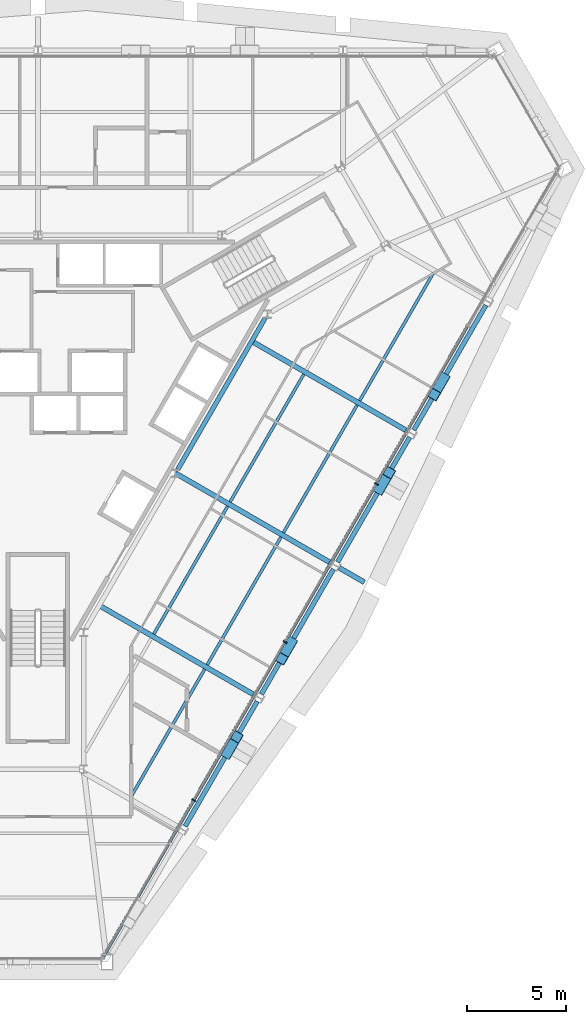
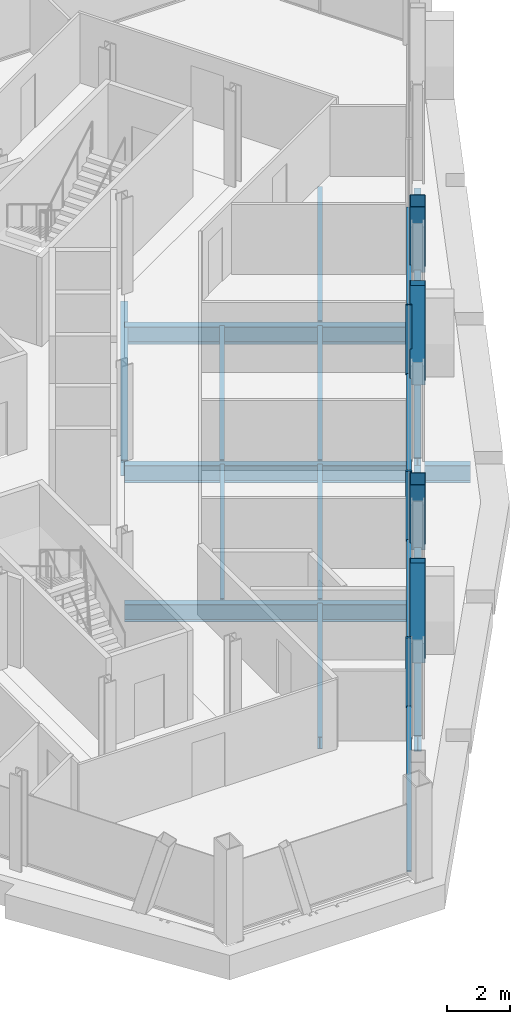
# One storey, part 4 of 13: 15 beams, 11 members, 1 element without a shape of its own.
"""IFC4 building model written with IfcOpenShell, lengths in metres."""

from ifc_helpers import new_model, si_unit, direction, frame, origin, origin_2d, place, context, subcontext, project, spatial, rectangle, hollow_rectangle, i_section, extrude, material, material_profile, profile_set, type_object, element, aggregate, save


model = new_model("IFC4")

# Units and contexts
model_context = context("Model", 3, precision=1e-05, world=origin(), true_north=direction((0.0, 1.0)))
body_context = subcontext(model_context, "Body", "Model", "MODEL_VIEW")
ifc_project = project(units=[si_unit("LENGTHUNIT", "METRE"), si_unit("AREAUNIT", "SQUARE_METRE"), si_unit("VOLUMEUNIT", "CUBIC_METRE"), si_unit("PLANEANGLEUNIT", "RADIAN"), si_unit("MASSUNIT", "GRAM", prefix="KILO")], contexts=[model_context])

# Site, building, storey
site_placement = place(None, origin())
site = spatial("IfcSite", under=ifc_project, at=site_placement, CompositionType="ELEMENT")
building_placement = place(site_placement, origin())
building = spatial("IfcBuilding", under=site, at=building_placement, Name="Verrane Prism Tower", CompositionType="ELEMENT")
storey_placement = place(building_placement, frame((0.0, 0.0, 163.60009765625)))
storey = spatial("IfcBuildingStorey", under=building, at=storey_placement, Name="L40", CompositionType="ELEMENT", Elevation=163.60009765625)

# Beam
ifc_material_1 = material(Name="Steel A992", Category="steel")
ifc_material_profile_1 = material_profile(ifc_material_1, i_section(OverallWidth=0.23046875, OverallDepth=0.6171875, WebThickness=0.01318359375, FlangeThickness=0.022216796875, FilletRadius=0.012939453125, at=origin_2d()), Name="W24x94")
ifc_profile_set_1 = profile_set([ifc_material_profile_1], Name="Steel A992")
beam_type_1 = type_object("IfcBeamType", Name="Core ring girder W24x94", PredefinedType="BEAM", material=ifc_profile_set_1)
beam_1_placement = place(storey_placement, frame((7.045166015625, -3.800537109375, -0.55859375), z_axis=(0.499967414725, 0.866044216084, 0.0), x_axis=(-0.866044216084, 0.499967414725, 0.0)))
element("IfcBeam", 1, at=beam_1_placement, inside=storey, type_object=beam_type_1, Name="Core ring girder L40", PredefinedType="BEAM", context=body_context, shape_type="SweptSolid", body=[
    extrude(i_section(OverallWidth=0.23046875, OverallDepth=0.6171875, WebThickness=0.01318359375, FlangeThickness=0.022216796875, FilletRadius=0.012939453125, at=origin_2d()), origin(), (0.0, 0.0, 1.0), 8.7998046875),
])

# Members
ifc_material_2 = material(Name="Steel A500 Grade C", Category="steel")
ifc_material_profile_2 = material_profile(ifc_material_2, hollow_rectangle(XDim=0.508056640625, YDim=0.508056640625, WallThickness=0.01904296875, InnerFilletRadius=0.009521484375, OuterFilletRadius=0.028564453125, at=origin_2d()), Name="HSS20x20x3/4")
ifc_profile_set_2 = profile_set([ifc_material_profile_2], Name="Steel A500 Grade C")
member_type_1 = type_object("IfcMemberType", Name="Facade brace HSS20x20x3/4", PredefinedType="BRACE", material=ifc_profile_set_2)
member_1_placement = place(storey_placement, frame((9.54150390625, -18.09521484375, -0.216796875), z_axis=(0.142143736486, 0.246133487031, 0.958756207145), x_axis=(-0.865966742331, 0.500101590855, 0.0)))
element("IfcMember", 2, at=member_1_placement, inside=storey, type_object=member_type_1, Name="Facade brace SE1 L40", PredefinedType="BRACE", context=body_context, shape_type="SweptSolid", body=[
    extrude(hollow_rectangle(XDim=0.508056640625, YDim=0.508056640625, WallThickness=0.01904296875, InnerFilletRadius=0.009521484375, OuterFilletRadius=0.028564453125, at=origin_2d()), origin(), (0.0, 0.0, 1.0), 3.333740234375),
])
member_2_placement = place(storey_placement, frame((12.75830078125, -12.5205078125, -0.216796875), z_axis=(-0.142130918057, -0.246477418948, 0.95866974714), x_axis=(0.866288399192, -0.499544201673, 0.0)))
element("IfcMember", 3, at=member_2_placement, inside=storey, type_object=member_type_1, Name="Facade brace SE2 L40", PredefinedType="BRACE", context=body_context, shape_type="SweptSolid", body=[
    extrude(hollow_rectangle(XDim=0.508056640625, YDim=0.508056640625, WallThickness=0.01904296875, InnerFilletRadius=0.009521484375, OuterFilletRadius=0.028564453125, at=origin_2d()), origin(), (0.0, 0.0, 1.0), 3.333984375),
])
for number, where, z_axis, x_axis, name in (
    (4, (17.2216796875, -4.785400390625, -0.216796875), (0.142141174047, 0.246202280858, 0.958738923556), (-0.866031159827, 0.499990030109, 0.0), "Facade brace SE3 L40"),
    (5, (20.4384765625, 0.785400390625, -0.216796875), (-0.142141174047, -0.246202280858, 0.958738923556), (0.866031159827, -0.499990030109, 0.0), "Facade brace SE4 L40"),
):
    element("IfcMember", number, at=place(storey_placement, frame(where, z_axis=z_axis, x_axis=x_axis)), inside=storey, type_object=member_type_1, Name=name, PredefinedType="BRACE", context=body_context, shape_type="SweptSolid", body=[
        extrude(hollow_rectangle(XDim=0.508056640625, YDim=0.508056640625, WallThickness=0.01904296875, InnerFilletRadius=0.009521484375, OuterFilletRadius=0.028564453125, at=origin_2d()), origin(), (0.0, 0.0, 1.0), 3.333740234375),
    ])

# Beams
ifc_material_3 = material(Name="Steel A992", Category="steel")
ifc_material_profile_3 = material_profile(ifc_material_3, i_section(OverallWidth=0.15234375, OverallDepth=0.449462890625, WebThickness=0.007568359375, FlangeThickness=0.0107421875, FilletRadius=0.01025390625, at=origin_2d()), Name="W18x35")
ifc_profile_set_3 = profile_set([ifc_material_profile_3], Name="Steel A992")
beam_type_2 = type_object("IfcBeamType", Name="Floor beam W18x35", PredefinedType="BEAM", material=ifc_profile_set_3)
beam_2_placement = place(storey_placement, frame((4.686279296875, -20.299072265625, -0.385009765625), z_axis=(0.500022277658, 0.866012541391, 0.0), x_axis=(-0.866012541391, 0.500022277658, 0.0)))
element("IfcBeam", 6, at=beam_2_placement, inside=storey, type_object=beam_type_2, Name="Floor beam L40", PredefinedType="BEAM", context=body_context, shape_type="SweptSolid", body=[
    extrude(i_section(OverallWidth=0.15234375, OverallDepth=0.449462890625, WebThickness=0.007568359375, FlangeThickness=0.0107421875, FilletRadius=0.01025390625, at=origin_2d()), origin(), (0.0, 0.0, 1.0), 7.424560546875),
])
beam_3_placement = place(storey_placement, frame((8.525390625, -13.6494140625, -0.385009765625), z_axis=(0.500006734102, 0.866021515814, 0.0), x_axis=(-0.866021515814, 0.500006734102, 0.0)))
element("IfcBeam", 7, at=beam_3_placement, inside=storey, type_object=beam_type_2, Name="Floor beam L40", PredefinedType="BEAM", context=body_context, shape_type="SweptSolid", body=[
    extrude(i_section(OverallWidth=0.15234375, OverallDepth=0.449462890625, WebThickness=0.007568359375, FlangeThickness=0.0107421875, FilletRadius=0.01025390625, at=origin_2d()), origin(), (0.0, 0.0, 1.0), 7.43408203125),
])
beam_4_placement = place(storey_placement, frame((5.837646484375, -12.098388671875, -0.385009765625), z_axis=(0.499996323716, 0.866027526278, 0.0), x_axis=(-0.866027526278, 0.499996323716, 0.0)))
element("IfcBeam", 8, at=beam_4_placement, inside=storey, type_object=beam_type_2, Name="Floor beam L40", PredefinedType="BEAM", context=body_context, shape_type="SweptSolid", body=[
    extrude(i_section(OverallWidth=0.15234375, OverallDepth=0.449462890625, WebThickness=0.007568359375, FlangeThickness=0.0107421875, FilletRadius=0.01025390625, at=origin_2d()), origin(), (0.0, 0.0, 1.0), 7.43359375),
])
for number, where, z_axis, x_axis, name in (
    (9, (12.3671875, -6.990234375, -0.385009765625), (0.499979562871, 0.866037202845, 0.0), (-0.866037202845, 0.499979562871, 0.0), "Floor beam L40"),
    (10, (9.680419921875, -5.440185546875, -0.385009765625), (0.499979562871, 0.866037202845, 0.0), (-0.866037202845, 0.499979562871, 0.0), "Floor beam L40"),
):
    element("IfcBeam", number, at=place(storey_placement, frame(where, z_axis=z_axis, x_axis=x_axis)), inside=storey, type_object=beam_type_2, Name=name, PredefinedType="BEAM", context=body_context, shape_type="SweptSolid", body=[
        extrude(i_section(OverallWidth=0.15234375, OverallDepth=0.449462890625, WebThickness=0.007568359375, FlangeThickness=0.0107421875, FilletRadius=0.01025390625, at=origin_2d()), origin(), (0.0, 0.0, 1.0), 7.425048828125),
    ])
beam_5_placement = place(storey_placement, frame((16.206787109375, -0.340087890625, -0.385009765625), z_axis=(0.50000040832, 0.866025168041, 0.0), x_axis=(-0.866025168041, 0.50000040832, 0.0)))
element("IfcBeam", 11, at=beam_5_placement, inside=storey, type_object=beam_type_2, Name="Floor beam L40", PredefinedType="BEAM", context=body_context, shape_type="SweptSolid", body=[
    extrude(i_section(OverallWidth=0.15234375, OverallDepth=0.449462890625, WebThickness=0.007568359375, FlangeThickness=0.0107421875, FilletRadius=0.01025390625, at=origin_2d()), origin(), (0.0, 0.0, 1.0), 7.42578125),
])

# Curtain wall, members
ifc_material_4 = material(Name="Aluminium framed insulated glazing", Category="aluminium")
curtain_wall_type = type_object("IfcCurtainWallType", Name="Curtain wall CW-A 8400 module", PredefinedType="NOTDEFINED", material=ifc_material_4)
curtain_wall_placement = place(storey_placement, origin())
curtain_wall = element("IfcCurtainWall", 12, at=curtain_wall_placement, inside=storey, type_object=curtain_wall_type, Name="Glazed curtain wall south-east face L40", PredefinedType="NOTDEFINED")
ifc_material_5 = material(Name="Aluminium alloy 6063-T6", Category="aluminium")
ifc_material_profile_4 = material_profile(ifc_material_5, rectangle(XDim=0.199951171875, YDim=0.070068359375, at=origin_2d()), Name="Mullion 70x200 aluminium")
ifc_profile_set_4 = profile_set([ifc_material_profile_4], Name="Aluminium alloy 6063-T6")
member_type_2 = type_object("IfcMemberType", Name="Mullion 70x200 aluminium", PredefinedType="MULLION", material=ifc_profile_set_4)
member_3_placement = place(storey_placement, frame((7.84814453125, -20.46875, 0.0), z_axis=(0.0, 0.0, 1.0), x_axis=(-0.86602596468, 0.499999028499, 0.0)))
member_3 = element("IfcMember", 13, at=member_3_placement, type_object=member_type_2, Name="CW39.6 mullion 2", PredefinedType="MULLION", context=body_context, shape_type="SweptSolid", body=[
    extrude(rectangle(XDim=0.199951171875, YDim=0.070068359375, at=origin_2d()), origin(), (0.0, 0.0, 1.0), 2.712890625),
])
member_4_placement = place(storey_placement, frame((12.448974609375, -12.5, 0.0), z_axis=(0.0, 0.0, 1.0), x_axis=(-0.86602596468, 0.499999028499, 0.0)))
member_4 = element("IfcMember", 14, at=member_4_placement, type_object=member_type_2, Name="CW39.6 mullion 3", PredefinedType="MULLION", context=body_context, shape_type="SweptSolid", body=[
    extrude(rectangle(XDim=0.199951171875, YDim=0.070068359375, at=origin_2d()), origin(), (0.0, 0.0, 1.0), 2.712890625),
])
member_5_placement = place(storey_placement, frame((17.0498046875, -4.531005859375, 0.0), z_axis=(0.0, 0.0, 1.0), x_axis=(-0.86602596468, 0.499999028499, 0.0)))
member_5 = element("IfcMember", 15, at=member_5_placement, type_object=member_type_2, Name="CW39.6 mullion 4", PredefinedType="MULLION", context=body_context, shape_type="SweptSolid", body=[
    extrude(rectangle(XDim=0.199951171875, YDim=0.070068359375, at=origin_2d()), origin(), (0.0, 0.0, 1.0), 2.712890625),
])

# Beams
ifc_material_6 = material(Name="Steel A992", Category="steel")
ifc_material_profile_5 = material_profile(ifc_material_6, i_section(OverallWidth=0.25390625, OverallDepth=0.683349609375, WebThickness=0.012451171875, FlangeThickness=0.01904296875, FilletRadius=0.01513671875, at=origin_2d()), Name="W27x94")
ifc_profile_set_5 = profile_set([ifc_material_profile_5], Name="Steel A992")
beam_type_3 = type_object("IfcBeamType", Name="Radial girder W27x94", PredefinedType="BEAM", material=ifc_profile_set_5)
beam_6_placement = place(storey_placement, frame((10.9619140625, -15.201416015625, -0.561767578125), z_axis=(-0.866021925876, 0.500006023866, 0.0), x_axis=(-0.500006023866, -0.866021925876, 0.0)))
element("IfcBeam", 16, at=beam_6_placement, inside=storey, type_object=beam_type_3, Name="Radial girder L40", PredefinedType="BEAM", context=body_context, shape_type="SweptSolid", body=[
    extrude(i_section(OverallWidth=0.25390625, OverallDepth=0.683349609375, WebThickness=0.012451171875, FlangeThickness=0.01904296875, FilletRadius=0.01513671875, at=origin_2d()), origin(), (0.0, 0.0, 1.0), 9.09228515625),
])
beam_7_placement = place(storey_placement, frame((14.802001953125, -8.54150390625, -0.561767578125), z_axis=(-0.866020960005, 0.500007696773, 0.0), x_axis=(-0.500007696773, -0.866020960005, 0.0)))
element("IfcBeam", 17, at=beam_7_placement, inside=storey, type_object=beam_type_3, Name="Radial girder L40", PredefinedType="BEAM", context=body_context, shape_type="SweptSolid", body=[
    extrude(i_section(OverallWidth=0.25390625, OverallDepth=0.683349609375, WebThickness=0.012451171875, FlangeThickness=0.01904296875, FilletRadius=0.01513671875, at=origin_2d()), origin(), (0.0, 0.0, 1.0), 9.088134765625),
])
beam_8_placement = place(storey_placement, frame((18.641845703125, -1.891357421875, -0.561767578125), z_axis=(-0.866022759689, 0.500004579679, 0.0), x_axis=(-0.500004579679, -0.866022759689, 0.0)))
element("IfcBeam", 18, at=beam_8_placement, inside=storey, type_object=beam_type_3, Name="Radial girder L40", PredefinedType="BEAM", context=body_context, shape_type="SweptSolid", body=[
    extrude(i_section(OverallWidth=0.25390625, OverallDepth=0.683349609375, WebThickness=0.012451171875, FlangeThickness=0.01904296875, FilletRadius=0.01513671875, at=origin_2d()), origin(), (0.0, 0.0, 1.0), 9.0888671875),
])
beam_9_placement = place(storey_placement, frame((15.174560546875, -8.756591796875, -0.561767578125), z_axis=(0.866035418383, -0.499982653806, 0.0), x_axis=(0.499982653806, 0.866035418383, 0.0)))
element("IfcBeam", 19, at=beam_9_placement, inside=storey, type_object=beam_type_3, Name="Cantilever girder L40", PredefinedType="BEAM", context=body_context, shape_type="SweptSolid", body=[
    extrude(i_section(OverallWidth=0.25390625, OverallDepth=0.683349609375, WebThickness=0.012451171875, FlangeThickness=0.01904296875, FilletRadius=0.01513671875, at=origin_2d()), origin(), (0.0, 0.0, 1.0), 1.4619140625),
])
ifc_material_7 = material(Name="Steel A992", Category="steel")
ifc_material_profile_6 = material_profile(ifc_material_7, i_section(OverallWidth=0.23046875, OverallDepth=0.6171875, WebThickness=0.01318359375, FlangeThickness=0.022216796875, FilletRadius=0.012939453125, at=origin_2d()), Name="W24x94")
ifc_profile_set_6 = profile_set([ifc_material_profile_6], Name="Steel A992")
beam_type_4 = type_object("IfcBeamType", Name="Spandrel beam W24x94", PredefinedType="SPANDREL", material=ifc_profile_set_6)
beam_10_placement = place(storey_placement, frame((7.412841796875, -21.78173828125, -0.46875), z_axis=(0.50007721572, 0.865980818678, 0.0), x_axis=(-0.865980818678, 0.50007721572, 0.0)))
element("IfcBeam", 20, at=beam_10_placement, inside=storey, type_object=beam_type_4, Name="Spandrel beam L40", PredefinedType="SPANDREL", context=body_context, shape_type="SweptSolid", body=[
    extrude(i_section(OverallWidth=0.23046875, OverallDepth=0.6171875, WebThickness=0.01318359375, FlangeThickness=0.022216796875, FilletRadius=0.012939453125, at=origin_2d()), origin(), (0.0, 0.0, 1.0), 7.267333984375),
])
beam_11_placement = place(storey_placement, frame((11.252685546875, -15.1318359375, -0.46875), z_axis=(0.499492001644, 0.866318498183, 0.0), x_axis=(-0.866318498183, 0.499492001644, 0.0)))
element("IfcBeam", 21, at=beam_11_placement, inside=storey, type_object=beam_type_4, Name="Spandrel beam L40", PredefinedType="SPANDREL", context=body_context, shape_type="SweptSolid", body=[
    extrude(i_section(OverallWidth=0.23046875, OverallDepth=0.6171875, WebThickness=0.01318359375, FlangeThickness=0.022216796875, FilletRadius=0.012939453125, at=origin_2d()), origin(), (0.0, 0.0, 1.0), 7.2763671875),
])
for number, where, z_axis, x_axis, name in (
    (22, (15.093017578125, -8.4716796875, -0.46875), (0.500052022334, 0.865995366592, 0.0), (-0.865995366592, 0.500052022334, 0.0), "Spandrel beam L40"),
    (23, (18.932861328125, -1.82177734375, -0.46875), (0.50007721572, 0.865980818678, 0.0), (-0.865980818678, 0.50007721572, 0.0), "Spandrel beam L40"),
):
    element("IfcBeam", number, at=place(storey_placement, frame(where, z_axis=z_axis, x_axis=x_axis)), inside=storey, type_object=beam_type_4, Name=name, PredefinedType="SPANDREL", context=body_context, shape_type="SweptSolid", body=[
        extrude(i_section(OverallWidth=0.23046875, OverallDepth=0.6171875, WebThickness=0.01318359375, FlangeThickness=0.022216796875, FilletRadius=0.012939453125, at=origin_2d()), origin(), (0.0, 0.0, 1.0), 7.267333984375),
    ])

# Member
ifc_material_8 = material(Name="Aluminium alloy 6063-T6", Category="aluminium")
ifc_material_profile_7 = material_profile(ifc_material_8, rectangle(XDim=0.14990234375, YDim=0.070068359375, at=origin_2d()), Name="Transom 70x150 aluminium")
ifc_profile_set_7 = profile_set([ifc_material_profile_7], Name="Aluminium alloy 6063-T6")
member_type_3 = type_object("IfcMemberType", Name="Transom 70x150 aluminium", PredefinedType="USERDEFINED", material=ifc_profile_set_7)
member_6_placement = place(storey_placement, frame((3.2822265625, -28.376953125, 0.034912109375), z_axis=(0.500001238203, 0.866024688907, 0.0), x_axis=(-0.866024688907, 0.500001238203, 0.0)))
member_6 = element("IfcMember", 24, at=member_6_placement, type_object=member_type_3, Name="CW39.6 transom 1", ObjectType="TRANSOM", PredefinedType="USERDEFINED", context=body_context, shape_type="SweptSolid", body=[
    extrude(rectangle(XDim=0.14990234375, YDim=0.070068359375, at=origin_2d()), origin(), (0.0, 0.0, 1.0), 9.0966796875),
])

member_7_placement = place(storey_placement, frame((7.865478515625, -20.4384765625, 0.034912109375), z_axis=(0.500009425886, 0.866019961678, 0.0), x_axis=(-0.866019961678, 0.500009425886, 0.0)))
member_7 = element("IfcMember", 25, at=member_7_placement, type_object=member_type_3, Name="CW39.6 transom 2", ObjectType="TRANSOM", PredefinedType="USERDEFINED", context=body_context, shape_type="SweptSolid", body=[
    extrude(rectangle(XDim=0.14990234375, YDim=0.070068359375, at=origin_2d()), origin(), (0.0, 0.0, 1.0), 9.131591796875),
])

member_8_placement = place(storey_placement, frame((12.46630859375, -12.4697265625, 0.034912109375), z_axis=(0.499997849104, 0.866026645601, 0.0), x_axis=(-0.866026645601, 0.499997849104, 0.0)))
member_8 = element("IfcMember", 26, at=member_8_placement, type_object=member_type_3, Name="CW39.6 transom 3", ObjectType="TRANSOM", PredefinedType="USERDEFINED", context=body_context, shape_type="SweptSolid", body=[
    extrude(rectangle(XDim=0.14990234375, YDim=0.070068359375, at=origin_2d()), origin(), (0.0, 0.0, 1.0), 9.1318359375),
])

member_9_placement = place(storey_placement, frame((17.067138671875, -4.500732421875, 0.034912109375), z_axis=(0.500009425886, 0.866019961678, 0.0), x_axis=(-0.866019961678, 0.500009425886, 0.0)))
member_9 = element("IfcMember", 27, at=member_9_placement, type_object=member_type_3, Name="CW39.6 transom 4", ObjectType="TRANSOM", PredefinedType="USERDEFINED", context=body_context, shape_type="SweptSolid", body=[
    extrude(rectangle(XDim=0.14990234375, YDim=0.070068359375, at=origin_2d()), origin(), (0.0, 0.0, 1.0), 9.131591796875),
])

aggregate(curtain_wall, [member_3, member_4, member_5, member_6, member_7, member_8, member_9])

save(model, "model.ifc")
